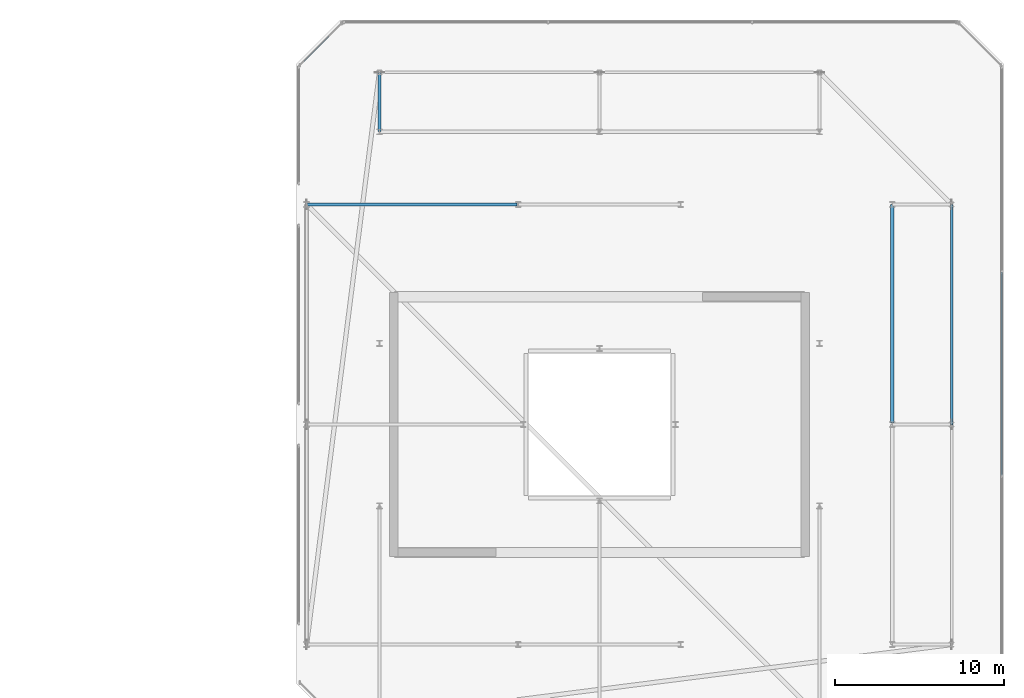
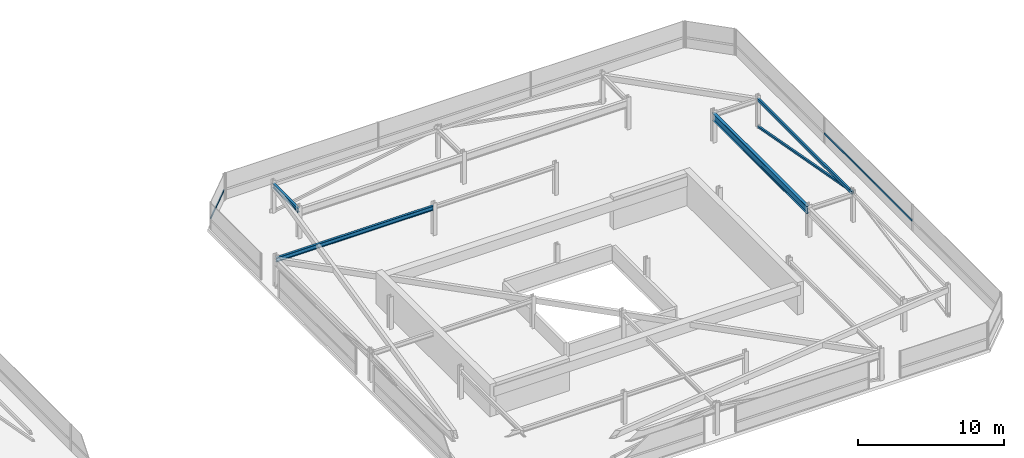
# One storey, part 34 of 44: 4 beams, 3 members, 2 elements without a shape of their own.
"""IFC4 building model written with IfcOpenShell, lengths in metres."""

import ifcopenshell
import ifcopenshell.guid

model = None  # the IFC model being written
_history = None  # IfcOwnerHistory: only IFC2X3 demands one
_inside = {}  # id of a spatial element -> (the spatial element, [elements in it])
_under = {}  # id of a project, library or spatial element -> (it, [spatial elements below it])
_declared = {}  # id of a project -> (the project, [libraries it declares])
_typed = {}  # id of a type object -> (the type object, [elements of that type])
_made_of = {}  # id of a material, layer set ... -> (it, [elements and type objects made of it])


def new_model(schema):
    """Start an empty IFC model of exactly this schema.

    Asked for "IFC4X3", IfcOpenShell would pick the latest addendum, in which some entities
    have other attributes; the version numbers below select the first issue.
    IFC2X3 requires an IfcOwnerHistory on every rooted entity: one is made here for all.
    """
    global model, _history
    if schema == "IFC4X3":
        model = ifcopenshell.file(schema_version=(4, 3, 0, 0))
    else:
        model = ifcopenshell.file(schema=schema)
    _inside.clear()
    _under.clear()
    _declared.clear()
    _typed.clear()
    _made_of.clear()
    _history = None
    if model.schema == "IFC2X3":
        org = make("IfcOrganization", Name="unknown")
        user = make(
            "IfcPersonAndOrganization",
            ThePerson=make("IfcPerson", FamilyName="unknown"),
            TheOrganization=org,
        )
        app = make(
            "IfcApplication",
            ApplicationDeveloper=org,
            Version="unknown",
            ApplicationFullName="unknown",
            ApplicationIdentifier="unknown",
        )
        _history = make(
            "IfcOwnerHistory",
            OwningUser=user,
            OwningApplication=app,
            ChangeAction="ADDED",
            CreationDate=0,
        )
    return model


def make(cls, **values):
    """One entity of the class cls with the attributes given. An attribute that is None is left unset."""
    return model.create_entity(
        cls, **{name: value for name, value in values.items() if value is not None}
    )


def rooted(cls, **values):
    """An entity with a GlobalId (a new one), such as an element, a storey or a relation."""
    return make(cls, GlobalId=ifcopenshell.guid.new(), OwnerHistory=_history, **values)


def si_unit(unit_type, name, prefix=None):
    """IfcSIUnit, for example si_unit("LENGTHUNIT", "METRE", prefix="MILLI")."""
    return make("IfcSIUnit", UnitType=unit_type, Prefix=prefix, Name=name)


def assignment(units):
    """IfcUnitAssignment: the units of a project."""
    return None if units is None else make("IfcUnitAssignment", Units=units)


def point(xyz):
    """IfcCartesianPoint."""
    return None if xyz is None else make("IfcCartesianPoint", Coordinates=xyz)


def direction(xyz):
    """IfcDirection."""
    return None if xyz is None else make("IfcDirection", DirectionRatios=xyz)


def frame(location, z_axis=None, x_axis=None):
    """IfcAxis2Placement3D, a coordinate frame: its origin and axes. An axis left out is left unset."""
    return make(
        "IfcAxis2Placement3D",
        Location=point(location),
        Axis=direction(z_axis),
        RefDirection=direction(x_axis),
    )


def frame_2d(location, x_axis=None):
    """IfcAxis2Placement2D, a coordinate frame in the plane: its origin and x axis."""
    return make(
        "IfcAxis2Placement2D", Location=point(location), RefDirection=direction(x_axis)
    )


def origin():
    """The frame at (0, 0, 0) with its axes left unset."""
    return frame((0.0, 0.0, 0.0))


def origin_2d():
    """The frame at (0, 0) in the plane with its x axis left unset."""
    return frame_2d((0.0, 0.0))


def place(relative_to, where):
    """IfcLocalPlacement: puts the frame where relative to a parent placement (None: the world)."""
    return make(
        "IfcLocalPlacement", PlacementRelTo=relative_to, RelativePlacement=where
    )


def context(
    kind, dimensions, precision=None, world=None, true_north=None, identifier=None
):
    """IfcGeometricRepresentationContext, for example the 3D "Model" context."""
    return make(
        "IfcGeometricRepresentationContext",
        ContextIdentifier=identifier,
        ContextType=kind,
        CoordinateSpaceDimension=dimensions,
        Precision=precision,
        WorldCoordinateSystem=world,
        TrueNorth=true_north,
    )


def subcontext(parent, identifier, kind, view, scale=None):
    """IfcGeometricRepresentationSubContext, for example "Body" below "Model"."""
    return make(
        "IfcGeometricRepresentationSubContext",
        ContextIdentifier=identifier,
        ContextType=kind,
        ParentContext=parent,
        TargetScale=scale,
        TargetView=view,
    )


def project(units=None, contexts=None):
    """IfcProject with its units and contexts."""
    return rooted(
        "IfcProject",
        Name="project",
        RepresentationContexts=contexts,
        UnitsInContext=assignment(units),
    )


def spatial(cls, under=None, at=None, **own):
    """A site, building, storey or space (cls), placed at a placement, below another one or the project."""
    s = rooted(cls, ObjectPlacement=at, **own)
    if under is not None:
        _under.setdefault(under.id(), (under, []))[1].append(s)
    return s


def profile(cls, at=None, kind="AREA", **sizes):
    """A parametric profile (cls). Its sizes go by their IFC names, for example OverallWidth=200.0."""
    return make(cls, ProfileType=kind, Position=at, **sizes)


def hollow_rectangle(**sizes):
    """IfcRectangleHollowProfileDef."""
    return profile("IfcRectangleHollowProfileDef", **sizes)


def i_section(**sizes):
    """IfcIShapeProfileDef."""
    return profile("IfcIShapeProfileDef", **sizes)


def extrude(swept, where, along, depth):
    """IfcExtrudedAreaSolid: the profile swept, set in the frame where, extruded along a direction by depth."""
    return make(
        "IfcExtrudedAreaSolid",
        SweptArea=swept,
        Position=where,
        ExtrudedDirection=direction(along),
        Depth=depth,
    )


def shape(context_of_items, identifier, shape_type, items):
    """IfcShapeRepresentation: the items that make up one representation, for example the "Body"."""
    return make(
        "IfcShapeRepresentation",
        ContextOfItems=context_of_items,
        RepresentationIdentifier=identifier,
        RepresentationType=shape_type,
        Items=items,
    )


def material(Name=None, Category=None):
    """IfcMaterial."""
    return make("IfcMaterial", Name=Name, Category=Category)


def material_profile(
    of_material, cross_section, Name=None, Category=None, Priority=None
):
    """IfcMaterialProfile: a cross section and its material."""
    return make(
        "IfcMaterialProfile",
        Name=Name,
        Material=of_material,
        Profile=cross_section,
        Priority=Priority,
        Category=Category,
    )


def profile_set(profiles, Name=None, composite=None):
    """IfcMaterialProfileSet."""
    return make(
        "IfcMaterialProfileSet",
        Name=Name,
        MaterialProfiles=profiles,
        CompositeProfile=composite,
    )


def made_of(thing, what):
    """Note that an element or type object is made of a material, layer set ...; save() writes the relation."""
    if what is not None:
        _made_of.setdefault(what.id(), (what, []))[1].append(thing)
    return thing


def type_object(cls, material=None, **own):
    """A type object (cls), such as IfcWallType, which elements share."""
    return made_of(rooted(cls, **own), material)


def element(
    cls,
    number,
    at=None,
    inside=None,
    cuts=None,
    type_object=None,
    material=None,
    context=None,
    identifier="Body",
    shape_type=None,
    held_by="IfcProductDefinitionShape",
    body=None,
    shapes=None,
    **own,
):
    """One element of the class cls, such as IfcWall. Its Tag is "e" and its number.

    at: its placement. inside: the storey or other place that contains it. cuts: it is an
    opening in that element (IfcRelVoidsElement). A single representation is given by context,
    identifier, shape_type and body (its items); several are given by shapes. held_by: the class
    of the entity that holds the representations. save() writes the other relations.
    """
    e = rooted(cls, Tag="e%d" % number, ObjectPlacement=at, **own)
    if body is not None:
        shapes = [shape(context, identifier, shape_type, body)]
    if shapes is not None:
        e.Representation = make(held_by, Representations=shapes)
    if inside is not None:
        _inside.setdefault(inside.id(), (inside, []))[1].append(e)
    if cuts is not None:
        rooted(
            "IfcRelVoidsElement", RelatingBuildingElement=cuts, RelatedOpeningElement=e
        )
    if type_object is not None:
        _typed.setdefault(type_object.id(), (type_object, []))[1].append(e)
    return made_of(e, material)


def aggregate(whole, parts):
    """IfcRelAggregates: a whole, such as a stair, and the parts it consists of."""
    return rooted("IfcRelAggregates", RelatingObject=whole, RelatedObjects=parts)


def save(model, path):
    """Write the relations noted so far, then the file.

    IfcRelAggregates (storeys below a building ...), IfcRelContainedInSpatialStructure (elements
    in a storey), IfcRelDefinesByType, IfcRelAssociatesMaterial and IfcRelDeclares: one each for
    every whole, place, type object, material and project.
    """
    for whole, parts in _under.values():
        aggregate(whole, parts)
    for where, things in _inside.values():
        rooted(
            "IfcRelContainedInSpatialStructure",
            RelatedElements=things,
            RelatingStructure=where,
        )
    for kind, things in _typed.values():
        rooted("IfcRelDefinesByType", RelatedObjects=things, RelatingType=kind)
    for what, things in _made_of.values():
        rooted("IfcRelAssociatesMaterial", RelatedObjects=things, RelatingMaterial=what)
    for by, libraries in _declared.values():
        rooted("IfcRelDeclares", RelatingContext=by, RelatedDefinitions=libraries)
    model.write(path)


model = new_model("IFC4")

# Units and contexts
model_context = context("Model", 3, precision=1e-05, world=origin(), true_north=direction((0.0, 1.0)))
body_context = subcontext(model_context, "Body", "Model", "MODEL_VIEW")
ifc_project = project(units=[si_unit("LENGTHUNIT", "METRE"), si_unit("AREAUNIT", "SQUARE_METRE"), si_unit("VOLUMEUNIT", "CUBIC_METRE"), si_unit("PLANEANGLEUNIT", "RADIAN"), si_unit("MASSUNIT", "GRAM", prefix="KILO")], contexts=[model_context])

# Site, building, storey
site_placement = place(None, origin())
site = spatial("IfcSite", under=ifc_project, at=site_placement, CompositionType="ELEMENT")
building_placement = place(site_placement, origin())
building = spatial("IfcBuilding", under=site, at=building_placement, Name="Thornwick Lancets Civic Towers", CompositionType="ELEMENT")
storey_placement = place(building_placement, frame((0.0, 0.0, 294.89990234375)))
storey = spatial("IfcBuildingStorey", under=building, at=storey_placement, Name="C06", CompositionType="ELEMENT", Elevation=294.89990234375)

# Beams
ifc_material_1 = material(Name="Steel S355JR", Category="steel")
ifc_material_profile_1 = material_profile(ifc_material_1, hollow_rectangle(XDim=0.14990234375, YDim=0.25, WallThickness=0.012451171875, at=origin_2d()), Name="RHS 250x150x12.5")
ifc_profile_set_1 = profile_set([ifc_material_profile_1], Name="Steel S355JR")
beam_type_1 = type_object("IfcBeamType", Name="BM_CROWN_RHS250", PredefinedType="BEAM", material=ifc_profile_set_1)
beam_1_placement = place(storey_placement, frame((109.300048828125, 27.080078125, 2.315185546875), z_axis=(0.0, 1.0, 0.0), x_axis=(-1.0, 0.0, 0.0)))
element("IfcBeam", 1, at=beam_1_placement, inside=storey, type_object=beam_type_1, Name="BM-EDGE-C06-B-S0-2", PredefinedType="BEAM", context=body_context, shape_type="SweptSolid", body=[
    extrude(hollow_rectangle(XDim=0.14990234375, YDim=0.25, WallThickness=0.012451171875, at=origin_2d()), origin(), (0.0, 0.0, 1.0), 12.919921875),
])
ifc_material_profile_2 = material_profile(ifc_material_1, i_section(OverallWidth=0.230224609375, OverallDepth=0.6171875, WebThickness=0.01318359375, FlangeThickness=0.022216796875, FilletRadius=0.0126953125, at=origin_2d()), Name="UKB 610x229x140")
ifc_profile_set_2 = profile_set([ifc_material_profile_2], Name="Steel S355JR")
beam_type_2 = type_object("IfcBeamType", Name="BM_GIRD_610_140", PredefinedType="BEAM", material=ifc_profile_set_2)
beam_2_placement = place(storey_placement, frame((105.800048828125, 27.080078125, 2.131591796875), z_axis=(0.0, 1.0, 0.0), x_axis=(-1.0, 0.0, 0.0)))
element("IfcBeam", 2, at=beam_2_placement, inside=storey, type_object=beam_type_2, Name="BM-SPINE-C06-B-1-2", PredefinedType="BEAM", context=body_context, shape_type="SweptSolid", body=[
    extrude(i_section(OverallWidth=0.230224609375, OverallDepth=0.6171875, WebThickness=0.01318359375, FlangeThickness=0.022216796875, FilletRadius=0.0126953125, at=origin_2d()), origin(), (0.0, 0.0, 1.0), 12.919921875),
])
ifc_material_profile_3 = material_profile(ifc_material_1, i_section(OverallWidth=0.173095703125, OverallDepth=0.36328125, WebThickness=0.009033203125, FlangeThickness=0.015625, FilletRadius=0.01025390625, at=origin_2d()), Name="UKB 356x171x67")
ifc_profile_set_3 = profile_set([ifc_material_profile_3], Name="Steel S355JR")
beam_type_3 = type_object("IfcBeamType", Name="BM_JOIST_356_67", PredefinedType="JOIST", material=ifc_profile_set_3)
beam_3_placement = place(storey_placement, frame((75.5, 44.300048828125, 2.25830078125), z_axis=(0.0, 1.0, 0.0), x_axis=(-1.0, 0.0, 0.0)))
element("IfcBeam", 3, at=beam_3_placement, inside=storey, type_object=beam_type_3, Name="BM-RAD-C06-B06", PredefinedType="JOIST", context=body_context, shape_type="SweptSolid", body=[
    extrude(i_section(OverallWidth=0.173095703125, OverallDepth=0.36328125, WebThickness=0.009033203125, FlangeThickness=0.015625, FilletRadius=0.01025390625, at=origin_2d()), origin(), (0.0, 0.0, 1.0), 3.5),
])
beam_4_placement = place(storey_placement, frame((83.6201171875, 40.0, 2.25830078125), z_axis=(-1.0, 0.0, 0.0), x_axis=(0.0, -1.0, 0.0)))
element("IfcBeam", 4, at=beam_4_placement, inside=storey, type_object=beam_type_3, Name="BM-RADIN-C06-B09", PredefinedType="JOIST", context=body_context, shape_type="SweptSolid", body=[
    extrude(i_section(OverallWidth=0.173095703125, OverallDepth=0.36328125, WebThickness=0.009033203125, FlangeThickness=0.015625, FilletRadius=0.01025390625, at=origin_2d()), origin(), (0.0, 0.0, 1.0), 12.420166015625),
])

# Curtain wall, member
ifc_material_2 = material(Name="Crown ring acoustic-louvre and glazing screen wall", Category="glass")
curtain_wall_type = type_object("IfcCurtainWallType", Name="CW_SYS_07", PredefinedType="NOTDEFINED", material=ifc_material_2)
curtain_wall_1_placement = place(storey_placement, origin())
curtain_wall_1 = element("IfcCurtainWall", 5, at=curtain_wall_1_placement, inside=storey, type_object=curtain_wall_type, Name="C06 Curtain Wall CW-C06-B-E2", PredefinedType="NOTDEFINED")
ifc_material_3 = material(Name="Thermally broken bronze aluminium S355", Category="steel")
ifc_material_profile_4 = material_profile(ifc_material_3, hollow_rectangle(XDim=0.074951171875, YDim=0.14990234375, WallThickness=0.0048828125, at=origin_2d()), Name="RHS 150x75x5")
ifc_profile_set_4 = profile_set([ifc_material_profile_4], Name="Thermally broken bronze aluminium S355")
member_type_1 = type_object("IfcMemberType", Name="CW_TRN_150", PredefinedType="USERDEFINED", material=ifc_profile_set_4)
member_1_placement = place(storey_placement, frame((112.2646484375, 23.986083984375, 0.85009765625), z_axis=(0.0, 1.0, 0.0), x_axis=(-1.0, 0.0, 0.0)))
member_1 = element("IfcMember", 6, at=member_1_placement, type_object=member_type_1, Name="CW-C06-B-E2 Transom 1", ObjectType="TRANSOM", PredefinedType="USERDEFINED", context=body_context, shape_type="SweptSolid", body=[
    extrude(hollow_rectangle(XDim=0.074951171875, YDim=0.14990234375, WallThickness=0.0048828125, at=origin_2d()), origin(), (0.0, 0.0, 1.0), 12.02783203125),
])
aggregate(curtain_wall_1, [member_1])

curtain_wall_2_placement = place(storey_placement, origin())
curtain_wall_2 = element("IfcCurtainWall", 7, at=curtain_wall_2_placement, inside=storey, type_object=curtain_wall_type, Name="C06 Curtain Wall CW-C06-B-E5", PredefinedType="NOTDEFINED")
member_2_placement = place(storey_placement, frame((73.247802734375, 50.69384765625, 0.85009765625), z_axis=(-0.707106781187, -0.707106781187, 0.0), x_axis=(0.707106781187, -0.707106781187, 0.0)))
member_2 = element("IfcMember", 8, at=member_2_placement, type_object=member_type_1, Name="CW-C06-B-E5 Transom 0", ObjectType="TRANSOM", PredefinedType="USERDEFINED", context=body_context, shape_type="SweptSolid", body=[
    extrude(hollow_rectangle(XDim=0.074951171875, YDim=0.14990234375, WallThickness=0.0048828125, at=origin_2d()), origin(), (0.0, 0.0, 1.0), 3.453125),
])
aggregate(curtain_wall_2, [member_2])

# Member
ifc_material_profile_5 = material_profile(ifc_material_1, hollow_rectangle(XDim=0.14990234375, YDim=0.14990234375, WallThickness=0.010009765625, at=origin_2d()), Name="SHS 150x150x10")
ifc_profile_set_5 = profile_set([ifc_material_profile_5], Name="Steel S355JR")
member_type_2 = type_object("IfcMemberType", Name="MEM_CROWN_SHS150", PredefinedType="BRACE", material=ifc_profile_set_5)
member_3_placement = place(storey_placement, frame((109.300048828125, 40.0, 0.050048828125), z_axis=(0.0, -0.983515136313, 0.180825818519), x_axis=(1.0, 0.0, 0.0)))
element("IfcMember", 9, at=member_3_placement, inside=storey, type_object=member_type_2, Name="C06 Crown Ring Lancet Rib B-S0-R", PredefinedType="BRACE", context=body_context, shape_type="SweptSolid", body=[
    extrude(hollow_rectangle(XDim=0.14990234375, YDim=0.14990234375, WallThickness=0.010009765625, at=origin_2d()), origin(), (0.0, 0.0, 1.0), 13.2177734375),
])

save(model, "model.ifc")
